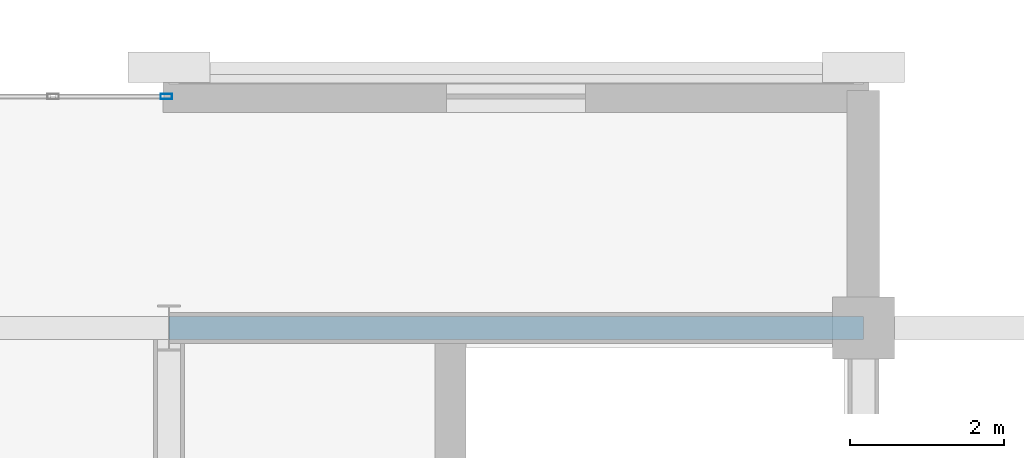
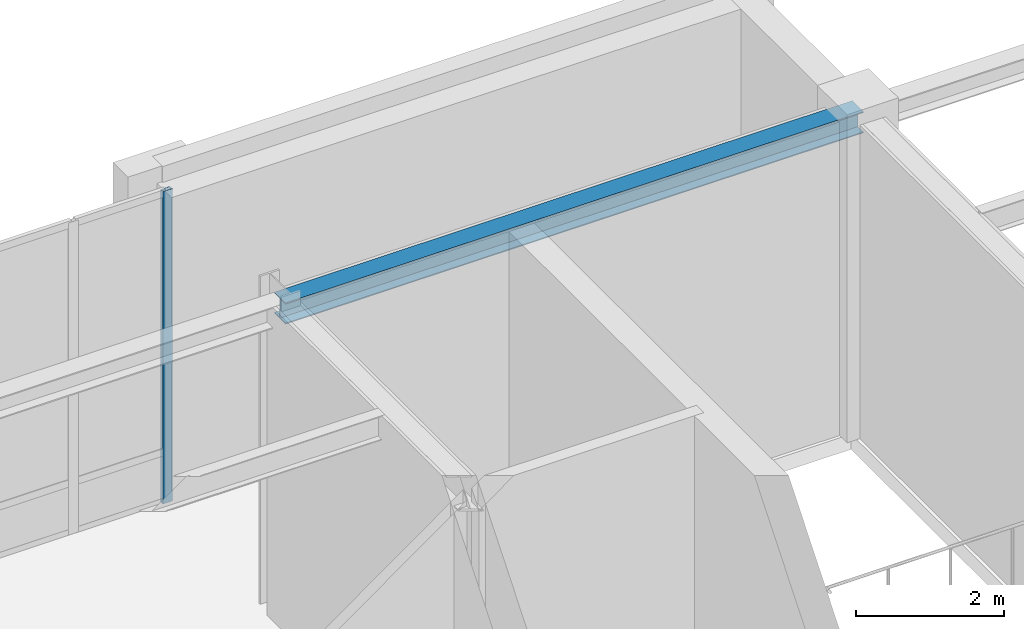
# One storey, part 31 of 77: 1 beam, 1 member, 1 element without a shape of its own.
"""IFC4 building model written with IfcOpenShell, lengths in metres."""

from ifc_helpers import new_model, si_unit, direction, frame, origin, origin_2d, place, context, subcontext, project, spatial, hollow_rectangle, i_section, extrude, material, material_profile, profile_set, type_object, element, aggregate, save


model = new_model("IFC4")

# Units and contexts
model_context = context("Model", 3, precision=1e-05, world=origin(), true_north=direction((0.0, 1.0)))
body_context = subcontext(model_context, "Body", "Model", "MODEL_VIEW")
ifc_project = project(units=[si_unit("LENGTHUNIT", "METRE"), si_unit("AREAUNIT", "SQUARE_METRE"), si_unit("VOLUMEUNIT", "CUBIC_METRE"), si_unit("PLANEANGLEUNIT", "RADIAN"), si_unit("MASSUNIT", "GRAM", prefix="KILO")], contexts=[model_context])

# Site, building, storey
site_placement = place(None, origin())
site = spatial("IfcSite", under=ifc_project, at=site_placement, CompositionType="ELEMENT")
building_placement = place(site_placement, origin())
building = spatial("IfcBuilding", under=site, at=building_placement, Name="Lykobir Media Centre", CompositionType="ELEMENT")
storey_placement = place(building_placement, origin())
storey = spatial("IfcBuildingStorey", under=building, at=storey_placement, Name="L00", CompositionType="ELEMENT", Elevation=0.0)

# Curtain wall, member
ifc_material_1 = material(Name="Anodized Aluminium AW-6060", Category="aluminium")
curtain_wall_type = type_object("IfcCurtainWallType", Name="CW-COURT-A", PredefinedType="NOTDEFINED", material=ifc_material_1)
curtain_wall_placement = place(storey_placement, origin())
curtain_wall = element("IfcCurtainWall", 1, at=curtain_wall_placement, inside=storey, type_object=curtain_wall_type, Name="Curtain wall CW2-L00-0013", PredefinedType="NOTDEFINED")
ifc_material_profile_1 = material_profile(ifc_material_1, hollow_rectangle(XDim=0.06494140625, YDim=0.14990234375, WallThickness=0.00341796875, at=origin_2d()), Name="ALU MULLION 65x150")
ifc_profile_set_1 = profile_set([ifc_material_profile_1], Name="Anodized Aluminium AW-6060")
member_type = type_object("IfcMemberType", Name="CWM-150", PredefinedType="MULLION", material=ifc_profile_set_1)
member_placement = place(storey_placement, frame((71.967529296875, 21.0, 0.0), z_axis=(0.0, 0.0, 1.0), x_axis=(0.0, 1.0, 0.0)))
member = element("IfcMember", 2, at=member_placement, type_object=member_type, Name="CW2-L00-0013 mullion 7", PredefinedType="MULLION", context=body_context, shape_type="SweptSolid", body=[
    extrude(hollow_rectangle(XDim=0.06494140625, YDim=0.14990234375, WallThickness=0.00341796875, at=origin_2d()), origin(), (0.0, 0.0, 1.0), 5.139892578125),
])
aggregate(curtain_wall, [member])

# Beam
ifc_material_2 = material(Name="Steel S355", Category="steel")
ifc_material_profile_2 = material_profile(ifc_material_2, i_section(OverallWidth=0.300048828125, OverallDepth=0.35009765625, WebThickness=0.010009765625, FlangeThickness=0.017578125, at=origin_2d()), Name="HEA 360")
ifc_profile_set_2 = profile_set([ifc_material_profile_2], Name="Steel S355")
beam_type = type_object("IfcBeamType", Name="SP-HEA360", PredefinedType="SPANDREL", material=ifc_profile_set_2)
beam_placement = place(storey_placement, frame((72.0, 18.0, 4.985107421875), z_axis=(1.0, 0.0, 0.0), x_axis=(0.0, 1.0, 0.0)))
element("IfcBeam", 3, at=beam_placement, inside=storey, type_object=beam_type, Name="Beam BM-L00-0720-0180-0810-0180-499", PredefinedType="SPANDREL", context=body_context, shape_type="SweptSolid", body=[
    extrude(i_section(OverallWidth=0.300048828125, OverallDepth=0.35009765625, WebThickness=0.010009765625, FlangeThickness=0.017578125, at=origin_2d()), origin(), (0.0, 0.0, 1.0), 9.0),
])

save(model, "model.ifc")
